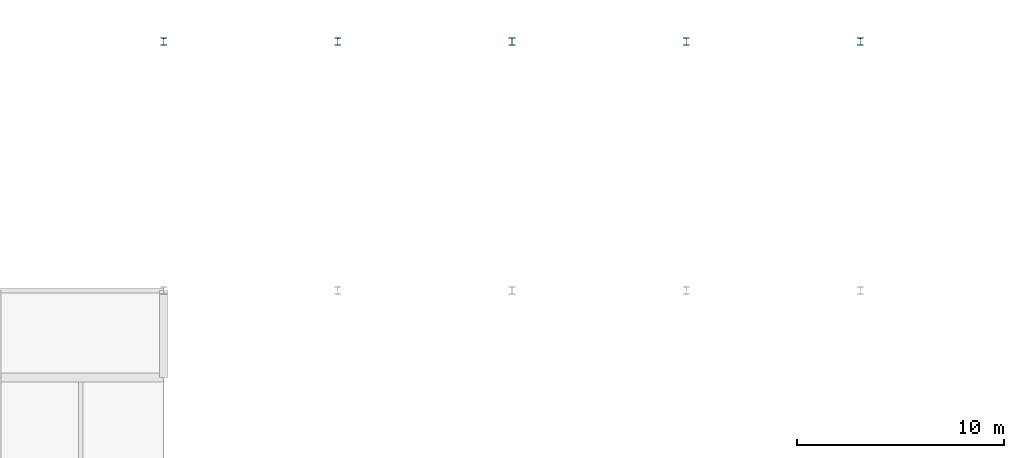
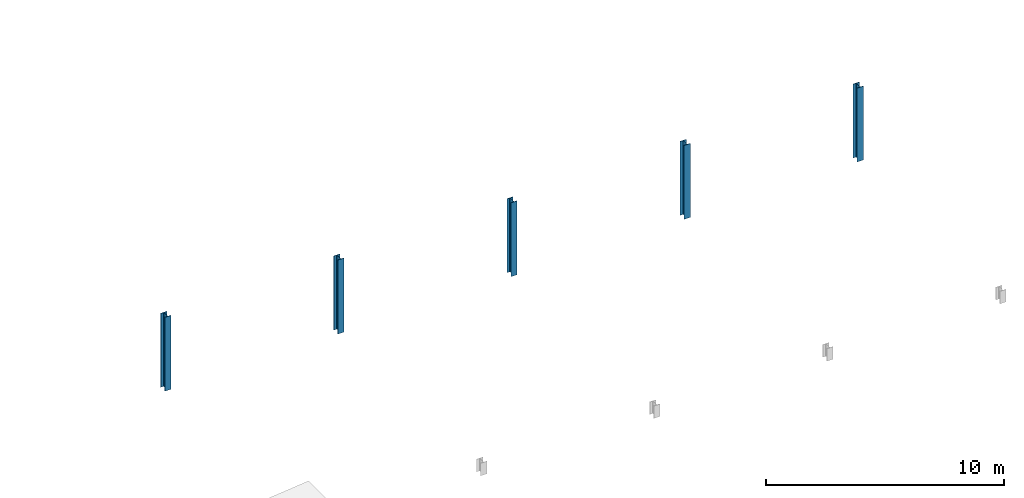
# One storey, part 3 of 34: 5 columns.
"""IFC4 building model written with IfcOpenShell, lengths in metres."""

from ifc_helpers import new_model, si_unit, direction, frame, origin, origin_2d, place, context, subcontext, project, spatial, i_section, extrude, material, material_profile, profile_set, type_object, element, save


model = new_model("IFC4")

# Units and contexts
model_context = context("Model", 3, precision=1e-05, world=origin(), true_north=direction((0.0, 1.0)))
body_context = subcontext(model_context, "Body", "Model", "MODEL_VIEW")
ifc_project = project(units=[si_unit("LENGTHUNIT", "METRE"), si_unit("AREAUNIT", "SQUARE_METRE"), si_unit("VOLUMEUNIT", "CUBIC_METRE"), si_unit("PLANEANGLEUNIT", "RADIAN"), si_unit("MASSUNIT", "GRAM", prefix="KILO")], contexts=[model_context])

# Site, building, storey
site_placement = place(None, origin())
site = spatial("IfcSite", under=ifc_project, at=site_placement, CompositionType="ELEMENT")
building_placement = place(site_placement, origin())
building = spatial("IfcBuilding", under=site, at=building_placement, Name="Vharandega Faculty of Natural Sciences", CompositionType="ELEMENT")
storey_placement = place(building_placement, frame((0.0, 0.0, 21.60009765625)))
storey = spatial("IfcBuildingStorey", under=building, at=storey_placement, Name="L05", CompositionType="ELEMENT", Elevation=21.60009765625)

# Columns
ifc_material = material(Name="Steel S355", Category="steel")
ifc_material_profile = material_profile(ifc_material, i_section(OverallWidth=0.300048828125, OverallDepth=0.360107421875, WebThickness=0.012451171875, FlangeThickness=0.0224609375, FilletRadius=0.027099609375, at=origin_2d()), Name="HEB 360")
ifc_profile_set = profile_set([ifc_material_profile], Name="Steel S355")
column_type = type_object("IfcColumnType", Name="Steel Column HEB 360", PredefinedType="COLUMN", material=ifc_profile_set)
for number, where, z_axis, x_axis, name in (
    (1, (72.800048828125, 97.0, 0.0), (0.0, 0.0, 1.0), (1.0, 0.0, 0.0), "Column 10/N L05"),
    (2, (81.199951171875, 97.0, 0.0), (0.0, 0.0, 1.0), (1.0, 0.0, 0.0), "Column 11/N L05"),
    (3, (89.60009765625, 97.0, 0.0), (0.0, 0.0, 1.0), (1.0, 0.0, 0.0), "Column 12/N L05"),
    (4, (56.0, 97.0, 0.0), (0.0, 0.0, 1.0), (1.0, 0.0, 0.0), "Column 8/N L05"),
    (5, (64.39990234375, 97.0, 0.0), (0.0, 0.0, 1.0), (1.0, 0.0, 0.0), "Column 9/N L05"),
):
    element("IfcColumn", number, at=place(storey_placement, frame(where, z_axis=z_axis, x_axis=x_axis)), inside=storey, type_object=column_type, Name=name, PredefinedType="COLUMN", context=body_context, shape_type="SweptSolid", body=[
        extrude(i_section(OverallWidth=0.300048828125, OverallDepth=0.360107421875, WebThickness=0.012451171875, FlangeThickness=0.0224609375, FilletRadius=0.027099609375, at=origin_2d()), origin(), (0.0, 0.0, 1.0), 3.789794921875),
    ])

save(model, "model.ifc")
